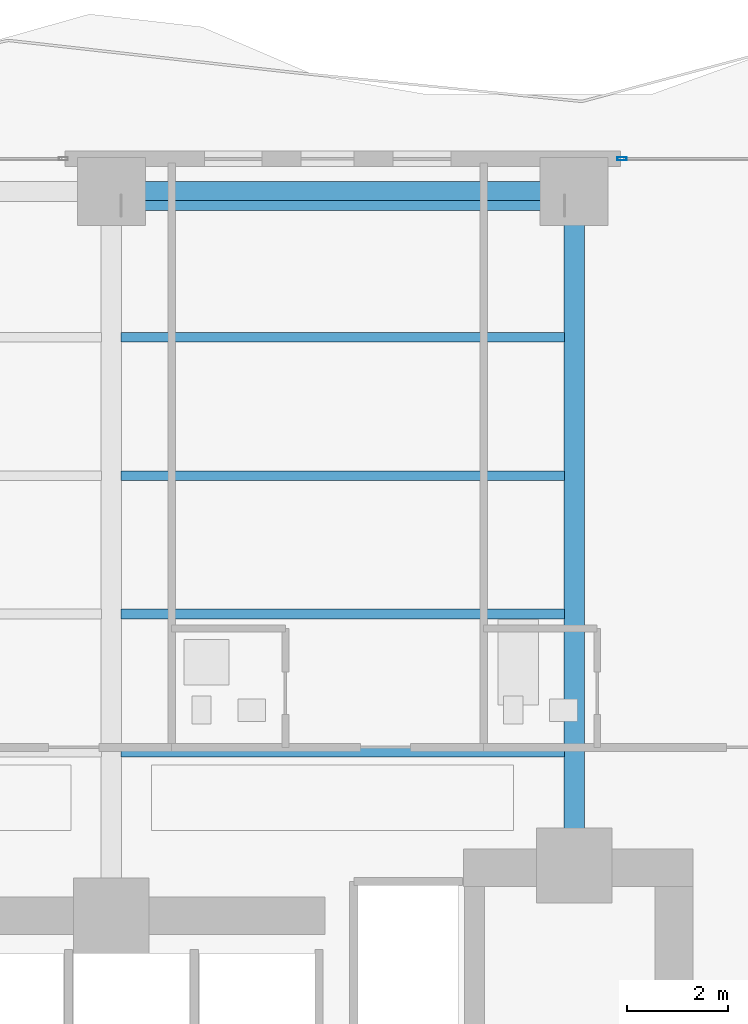
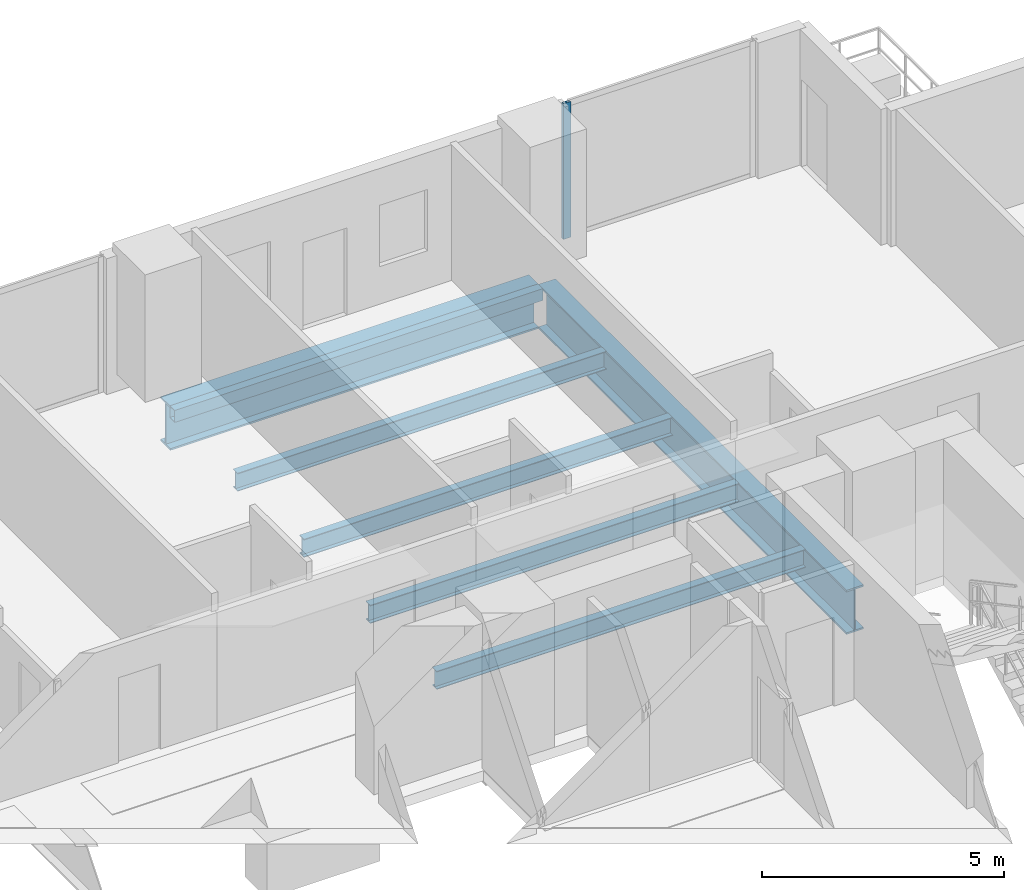
# One storey, part 17 of 29: 7 beams, 1 member, 1 element without a shape of its own.
"""IFC4 building model written with IfcOpenShell, lengths in metres."""

from ifc_helpers import new_model, si_unit, direction, frame, origin, origin_2d, place, context, subcontext, project, spatial, hollow_rectangle, i_section, extrude, material, layer, layer_set, material_profile, profile_set, type_object, element, aggregate, save


model = new_model("IFC4")

# Units and contexts
model_context = context("Model", 3, precision=1e-05, world=origin(), true_north=direction((0.0, 1.0)))
body_context = subcontext(model_context, "Body", "Model", "MODEL_VIEW")
ifc_project = project(units=[si_unit("LENGTHUNIT", "METRE"), si_unit("AREAUNIT", "SQUARE_METRE"), si_unit("VOLUMEUNIT", "CUBIC_METRE"), si_unit("PLANEANGLEUNIT", "RADIAN"), si_unit("MASSUNIT", "GRAM", prefix="KILO")], contexts=[model_context])

# Site, building, storey
site_placement = place(None, origin())
site = spatial("IfcSite", under=ifc_project, at=site_placement, CompositionType="ELEMENT")
building_placement = place(site_placement, origin())
building = spatial("IfcBuilding", under=site, at=building_placement, Name="Zuhayl Quay Hotel", CompositionType="ELEMENT")
storey_placement = place(building_placement, frame((0.0, 0.0, 95.64990234375)))
storey = spatial("IfcBuildingStorey", under=building, at=storey_placement, Name="L23", CompositionType="ELEMENT", Elevation=95.64990234375)

# Beams
ifc_material_1 = material(Name="Steel ASTM A992 Grade 50", Category="steel")
ifc_material_profile_1 = material_profile(ifc_material_1, i_section(OverallWidth=0.18994140625, OverallDepth=0.45703125, WebThickness=0.009033203125, FlangeThickness=0.014404296875, at=origin_2d()), Name="W18X50")
ifc_profile_set_1 = profile_set([ifc_material_profile_1], Name="Steel ASTM A992 Grade 50")
beam_type_1 = type_object("IfcBeamType", Name="BM_J2_W18X50", PredefinedType="JOIST", material=ifc_profile_set_1)
for number, where, z_axis, x_axis, name in (
    (1, (4.7939453125, 16.60009765625, -0.48828125), (1.0, 0.0, 0.0), (0.0, 1.0, 0.0), "L23 Floor Beam FJ_L23_1_3"),
    (2, (4.7939453125, 19.35009765625, -0.48828125), (1.0, 0.0, 0.0), (0.0, 1.0, 0.0), "L23 Floor Beam FJ_L23_2_3"),
    (3, (4.7939453125, 22.10009765625, -0.48828125), (1.0, 0.0, 0.0), (0.0, 1.0, 0.0), "L23 Floor Beam FJ_L23_3_3"),
    (4, (4.7939453125, 24.85009765625, -0.48828125), (1.0, 0.0, 0.0), (0.0, 1.0, 0.0), "L23 Floor Beam FJ_L23_4_3"),
):
    element("IfcBeam", number, at=place(storey_placement, frame(where, z_axis=z_axis, x_axis=x_axis)), inside=storey, type_object=beam_type_1, Name=name, PredefinedType="JOIST", context=body_context, shape_type="SweptSolid", body=[
        extrude(i_section(OverallWidth=0.18994140625, OverallDepth=0.45703125, WebThickness=0.009033203125, FlangeThickness=0.014404296875, at=origin_2d()), origin(), (0.0, 0.0, 1.0), 8.81201171875),
    ])
ifc_material_2 = material(Name="Steel ASTM A500 Grade C", Category="steel")
ifc_material_profile_2 = material_profile(ifc_material_2, hollow_rectangle(XDim=0.199951171875, YDim=0.300048828125, WallThickness=0.012451171875, at=origin_2d()), Name="HSS300X200X12")
ifc_profile_set_2 = profile_set([ifc_material_profile_2], Name="Steel ASTM A500 Grade C")
beam_type_2 = type_object("IfcBeamType", Name="BM_SP1_HSS300", PredefinedType="SPANDREL", material=ifc_profile_set_2)
beam_1_placement = place(storey_placement, frame((4.800048828125, 27.469970703125, -0.409912109375), z_axis=(1.0, 0.0, 0.0), x_axis=(0.0, 1.0, 0.0)))
element("IfcBeam", 5, at=beam_1_placement, inside=storey, type_object=beam_type_2, Name="L23 Perimeter Spandrel Beam SP1-2", PredefinedType="SPANDREL", context=body_context, shape_type="SweptSolid", body=[
    extrude(hollow_rectangle(XDim=0.199951171875, YDim=0.300048828125, WallThickness=0.012451171875, at=origin_2d()), origin(), (0.0, 0.0, 1.0), 8.800048828125),
])
ifc_material_3 = material(Name="Steel ASTM A913 Grade 65", Category="steel")
ifc_material_profile_3 = material_profile(ifc_material_3, i_section(OverallWidth=0.404052734375, OverallDepth=1.117919921875, WebThickness=0.026123046875, FlangeThickness=0.044921875, at=origin_2d()), Name="W44X335")
ifc_profile_set_3 = profile_set([ifc_material_profile_3], Name="Steel ASTM A913 Grade 65")
beam_type_3 = type_object("IfcBeamType", Name="BM_TG1_W44X335", PredefinedType="BEAM", material=ifc_profile_set_3)
beam_2_placement = place(storey_placement, frame((13.60009765625, 27.75, -0.81884765625), z_axis=(-1.0, 0.0, 0.0), x_axis=(0.0, -1.0, 0.0)))
element("IfcBeam", 6, at=beam_2_placement, inside=storey, type_object=beam_type_3, Name="L23 Floor Beam RG_L23_07", PredefinedType="BEAM", context=body_context, shape_type="SweptSolid", body=[
    extrude(i_section(OverallWidth=0.404052734375, OverallDepth=1.117919921875, WebThickness=0.026123046875, FlangeThickness=0.044921875, at=origin_2d()), origin(), (0.0, 0.0, 1.0), 8.800048828125),
])
beam_3_placement = place(storey_placement, frame((13.800048828125, 14.800048828125, -0.81884765625), z_axis=(0.0, 1.0, 0.0), x_axis=(-1.0, 0.0, 0.0)))
element("IfcBeam", 7, at=beam_3_placement, inside=storey, type_object=beam_type_3, Name="L23 Floor Beam FG_N_L23_4", PredefinedType="BEAM", context=body_context, shape_type="SweptSolid", body=[
    extrude(i_section(OverallWidth=0.404052734375, OverallDepth=1.117919921875, WebThickness=0.026123046875, FlangeThickness=0.044921875, at=origin_2d()), origin(), (0.0, 0.0, 1.0), 12.75),
])

# Curtain wall, member
ifc_material_4 = material(Name="Anodised Aluminium 6063-T6", Category="aluminium")
ifc_layer = layer(ifc_material_4, 0.179931640625, Name="Anodised Aluminium 6063-T6", Category="aluminium")
ifc_layer_set = layer_set([ifc_layer], Name="Anodised Aluminium 6063-T6")
curtain_wall_type = type_object("IfcCurtainWallType", Name="CW_SYS_Z2", PredefinedType="USERDEFINED", material=ifc_layer_set)
curtain_wall_placement = place(storey_placement, origin())
curtain_wall = element("IfcCurtainWall", 8, at=curtain_wall_placement, inside=storey, type_object=curtain_wall_type, Name="L23 Curtain Wall ENV_L23_N_CW4", ObjectType="UNITISED CURTAIN WALL", PredefinedType="USERDEFINED")
ifc_material_5 = material(Name="Black-anodised aluminium 6063-T6", Category="aluminium")
ifc_material_profile_4 = material_profile(ifc_material_5, hollow_rectangle(XDim=0.06494140625, YDim=0.179931640625, WallThickness=0.00341796875, at=origin_2d()), Name="ALU180X65")
ifc_profile_set_4 = profile_set([ifc_material_profile_4], Name="Black-anodised aluminium 6063-T6")
member_type = type_object("IfcMemberType", Name="MB_CW_MUL_180", PredefinedType="MULLION", material=ifc_profile_set_4)
member_placement = place(storey_placement, frame((14.75244140625, 28.39990234375, 0.0), z_axis=(0.0, 0.0, 1.0), x_axis=(0.0, 1.0, 0.0)))
member = element("IfcMember", 9, at=member_placement, type_object=member_type, Name="CW-Z2 mullion 1", PredefinedType="MULLION", context=body_context, shape_type="SweptSolid", body=[
    extrude(hollow_rectangle(XDim=0.06494140625, YDim=0.179931640625, WallThickness=0.00341796875, at=origin_2d()), origin(), (0.0, 0.0, 1.0), 3.43017578125),
])
aggregate(curtain_wall, [member])

save(model, "model.ifc")
